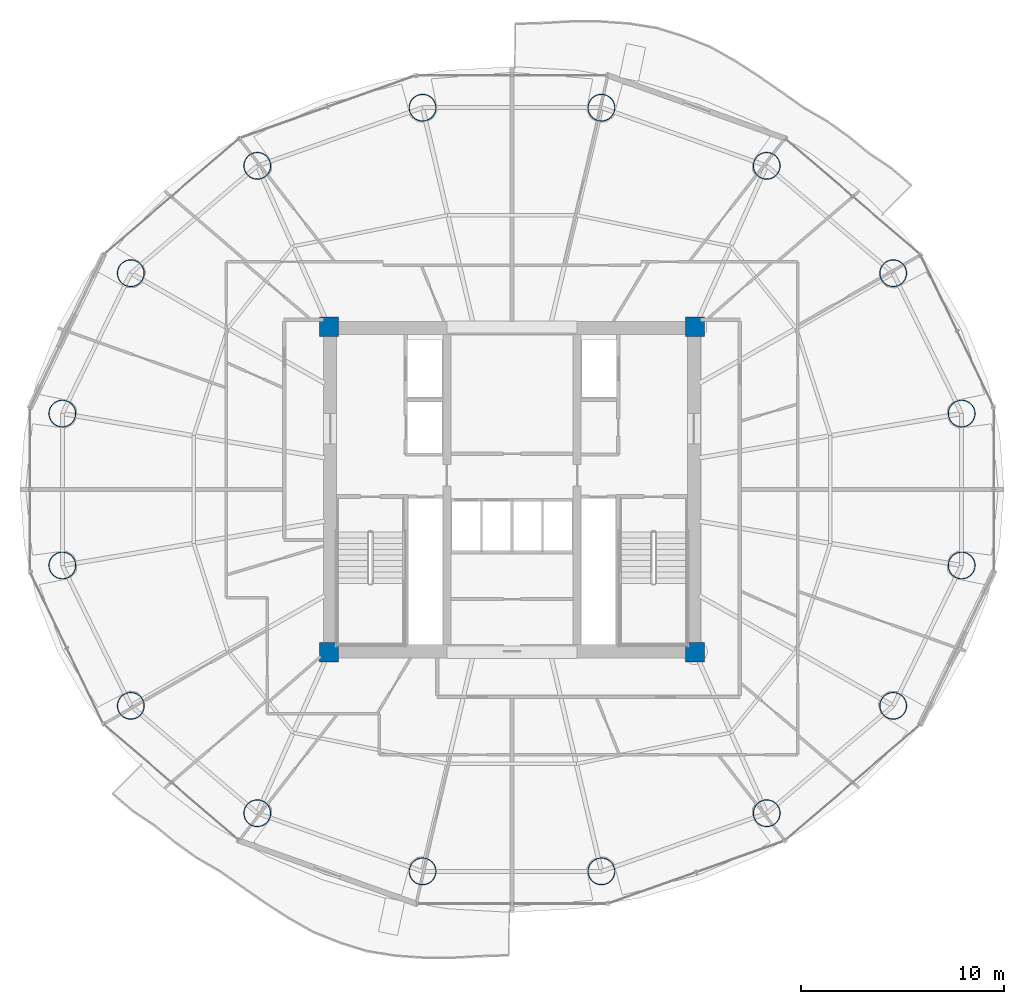
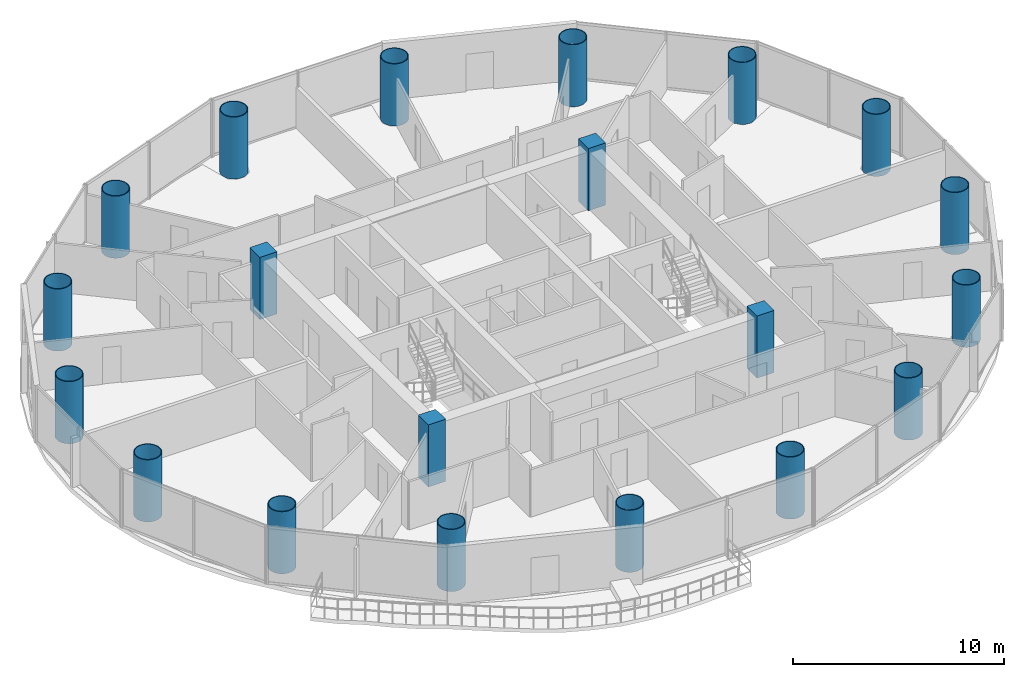
# One storey, part 1 of 27: 20 columns.
"""IFC4 building model written with IfcOpenShell, lengths in metres."""

import ifcopenshell
import ifcopenshell.guid

model = None  # the IFC model being written
_history = None  # IfcOwnerHistory: only IFC2X3 demands one
_inside = {}  # id of a spatial element -> (the spatial element, [elements in it])
_under = {}  # id of a project, library or spatial element -> (it, [spatial elements below it])
_declared = {}  # id of a project -> (the project, [libraries it declares])
_typed = {}  # id of a type object -> (the type object, [elements of that type])
_made_of = {}  # id of a material, layer set ... -> (it, [elements and type objects made of it])


def new_model(schema):
    """Start an empty IFC model of exactly this schema.

    Asked for "IFC4X3", IfcOpenShell would pick the latest addendum, in which some entities
    have other attributes; the version numbers below select the first issue.
    IFC2X3 requires an IfcOwnerHistory on every rooted entity: one is made here for all.
    """
    global model, _history
    if schema == "IFC4X3":
        model = ifcopenshell.file(schema_version=(4, 3, 0, 0))
    else:
        model = ifcopenshell.file(schema=schema)
    _inside.clear()
    _under.clear()
    _declared.clear()
    _typed.clear()
    _made_of.clear()
    _history = None
    if model.schema == "IFC2X3":
        org = make("IfcOrganization", Name="unknown")
        user = make(
            "IfcPersonAndOrganization",
            ThePerson=make("IfcPerson", FamilyName="unknown"),
            TheOrganization=org,
        )
        app = make(
            "IfcApplication",
            ApplicationDeveloper=org,
            Version="unknown",
            ApplicationFullName="unknown",
            ApplicationIdentifier="unknown",
        )
        _history = make(
            "IfcOwnerHistory",
            OwningUser=user,
            OwningApplication=app,
            ChangeAction="ADDED",
            CreationDate=0,
        )
    return model


def make(cls, **values):
    """One entity of the class cls with the attributes given. An attribute that is None is left unset."""
    return model.create_entity(
        cls, **{name: value for name, value in values.items() if value is not None}
    )


def rooted(cls, **values):
    """An entity with a GlobalId (a new one), such as an element, a storey or a relation."""
    return make(cls, GlobalId=ifcopenshell.guid.new(), OwnerHistory=_history, **values)


def si_unit(unit_type, name, prefix=None):
    """IfcSIUnit, for example si_unit("LENGTHUNIT", "METRE", prefix="MILLI")."""
    return make("IfcSIUnit", UnitType=unit_type, Prefix=prefix, Name=name)


def assignment(units):
    """IfcUnitAssignment: the units of a project."""
    return None if units is None else make("IfcUnitAssignment", Units=units)


def point(xyz):
    """IfcCartesianPoint."""
    return None if xyz is None else make("IfcCartesianPoint", Coordinates=xyz)


def direction(xyz):
    """IfcDirection."""
    return None if xyz is None else make("IfcDirection", DirectionRatios=xyz)


def frame(location, z_axis=None, x_axis=None):
    """IfcAxis2Placement3D, a coordinate frame: its origin and axes. An axis left out is left unset."""
    return make(
        "IfcAxis2Placement3D",
        Location=point(location),
        Axis=direction(z_axis),
        RefDirection=direction(x_axis),
    )


def frame_2d(location, x_axis=None):
    """IfcAxis2Placement2D, a coordinate frame in the plane: its origin and x axis."""
    return make(
        "IfcAxis2Placement2D", Location=point(location), RefDirection=direction(x_axis)
    )


def origin():
    """The frame at (0, 0, 0) with its axes left unset."""
    return frame((0.0, 0.0, 0.0))


def origin_2d():
    """The frame at (0, 0) in the plane with its x axis left unset."""
    return frame_2d((0.0, 0.0))


def place(relative_to, where):
    """IfcLocalPlacement: puts the frame where relative to a parent placement (None: the world)."""
    return make(
        "IfcLocalPlacement", PlacementRelTo=relative_to, RelativePlacement=where
    )


def context(
    kind, dimensions, precision=None, world=None, true_north=None, identifier=None
):
    """IfcGeometricRepresentationContext, for example the 3D "Model" context."""
    return make(
        "IfcGeometricRepresentationContext",
        ContextIdentifier=identifier,
        ContextType=kind,
        CoordinateSpaceDimension=dimensions,
        Precision=precision,
        WorldCoordinateSystem=world,
        TrueNorth=true_north,
    )


def subcontext(parent, identifier, kind, view, scale=None):
    """IfcGeometricRepresentationSubContext, for example "Body" below "Model"."""
    return make(
        "IfcGeometricRepresentationSubContext",
        ContextIdentifier=identifier,
        ContextType=kind,
        ParentContext=parent,
        TargetScale=scale,
        TargetView=view,
    )


def project(units=None, contexts=None):
    """IfcProject with its units and contexts."""
    return rooted(
        "IfcProject",
        Name="project",
        RepresentationContexts=contexts,
        UnitsInContext=assignment(units),
    )


def spatial(cls, under=None, at=None, **own):
    """A site, building, storey or space (cls), placed at a placement, below another one or the project."""
    s = rooted(cls, ObjectPlacement=at, **own)
    if under is not None:
        _under.setdefault(under.id(), (under, []))[1].append(s)
    return s


def profile(cls, at=None, kind="AREA", **sizes):
    """A parametric profile (cls). Its sizes go by their IFC names, for example OverallWidth=200.0."""
    return make(cls, ProfileType=kind, Position=at, **sizes)


def rectangle(**sizes):
    """IfcRectangleProfileDef."""
    return profile("IfcRectangleProfileDef", **sizes)


def hollow_circle(**sizes):
    """IfcCircleHollowProfileDef."""
    return profile("IfcCircleHollowProfileDef", **sizes)


def extrude(swept, where, along, depth):
    """IfcExtrudedAreaSolid: the profile swept, set in the frame where, extruded along a direction by depth."""
    return make(
        "IfcExtrudedAreaSolid",
        SweptArea=swept,
        Position=where,
        ExtrudedDirection=direction(along),
        Depth=depth,
    )


def shape(context_of_items, identifier, shape_type, items):
    """IfcShapeRepresentation: the items that make up one representation, for example the "Body"."""
    return make(
        "IfcShapeRepresentation",
        ContextOfItems=context_of_items,
        RepresentationIdentifier=identifier,
        RepresentationType=shape_type,
        Items=items,
    )


def material(Name=None, Category=None):
    """IfcMaterial."""
    return make("IfcMaterial", Name=Name, Category=Category)


def material_profile(
    of_material, cross_section, Name=None, Category=None, Priority=None
):
    """IfcMaterialProfile: a cross section and its material."""
    return make(
        "IfcMaterialProfile",
        Name=Name,
        Material=of_material,
        Profile=cross_section,
        Priority=Priority,
        Category=Category,
    )


def profile_set(profiles, Name=None, composite=None):
    """IfcMaterialProfileSet."""
    return make(
        "IfcMaterialProfileSet",
        Name=Name,
        MaterialProfiles=profiles,
        CompositeProfile=composite,
    )


def made_of(thing, what):
    """Note that an element or type object is made of a material, layer set ...; save() writes the relation."""
    if what is not None:
        _made_of.setdefault(what.id(), (what, []))[1].append(thing)
    return thing


def type_object(cls, material=None, **own):
    """A type object (cls), such as IfcWallType, which elements share."""
    return made_of(rooted(cls, **own), material)


def element(
    cls,
    number,
    at=None,
    inside=None,
    cuts=None,
    type_object=None,
    material=None,
    context=None,
    identifier="Body",
    shape_type=None,
    held_by="IfcProductDefinitionShape",
    body=None,
    shapes=None,
    **own,
):
    """One element of the class cls, such as IfcWall. Its Tag is "e" and its number.

    at: its placement. inside: the storey or other place that contains it. cuts: it is an
    opening in that element (IfcRelVoidsElement). A single representation is given by context,
    identifier, shape_type and body (its items); several are given by shapes. held_by: the class
    of the entity that holds the representations. save() writes the other relations.
    """
    e = rooted(cls, Tag="e%d" % number, ObjectPlacement=at, **own)
    if body is not None:
        shapes = [shape(context, identifier, shape_type, body)]
    if shapes is not None:
        e.Representation = make(held_by, Representations=shapes)
    if inside is not None:
        _inside.setdefault(inside.id(), (inside, []))[1].append(e)
    if cuts is not None:
        rooted(
            "IfcRelVoidsElement", RelatingBuildingElement=cuts, RelatedOpeningElement=e
        )
    if type_object is not None:
        _typed.setdefault(type_object.id(), (type_object, []))[1].append(e)
    return made_of(e, material)


def aggregate(whole, parts):
    """IfcRelAggregates: a whole, such as a stair, and the parts it consists of."""
    return rooted("IfcRelAggregates", RelatingObject=whole, RelatedObjects=parts)


def save(model, path):
    """Write the relations noted so far, then the file.

    IfcRelAggregates (storeys below a building ...), IfcRelContainedInSpatialStructure (elements
    in a storey), IfcRelDefinesByType, IfcRelAssociatesMaterial and IfcRelDeclares: one each for
    every whole, place, type object, material and project.
    """
    for whole, parts in _under.values():
        aggregate(whole, parts)
    for where, things in _inside.values():
        rooted(
            "IfcRelContainedInSpatialStructure",
            RelatedElements=things,
            RelatingStructure=where,
        )
    for kind, things in _typed.values():
        rooted("IfcRelDefinesByType", RelatedObjects=things, RelatingType=kind)
    for what, things in _made_of.values():
        rooted("IfcRelAssociatesMaterial", RelatedObjects=things, RelatingMaterial=what)
    for by, libraries in _declared.values():
        rooted("IfcRelDeclares", RelatingContext=by, RelatedDefinitions=libraries)
    model.write(path)


model = new_model("IFC4")

# Units and contexts
model_context = context("Model", 3, precision=1e-05, world=origin(), true_north=direction((-0.2419218956, 0.970295726276)))
body_context = subcontext(model_context, "Body", "Model", "MODEL_VIEW")
ifc_project = project(units=[si_unit("LENGTHUNIT", "METRE"), si_unit("AREAUNIT", "SQUARE_METRE"), si_unit("VOLUMEUNIT", "CUBIC_METRE"), si_unit("PLANEANGLEUNIT", "RADIAN"), si_unit("MASSUNIT", "GRAM", prefix="KILO")], contexts=[model_context])

# Site, building, storey
site_placement = place(None, origin())
site = spatial("IfcSite", under=ifc_project, at=site_placement, CompositionType="ELEMENT")
building_placement = place(site_placement, origin())
building = spatial("IfcBuilding", under=site, at=building_placement, Name="Cobrevalo Terracotta Tower", CompositionType="ELEMENT")
storey_placement = place(building_placement, frame((0.0, 0.0, 164.199951171875)))
storey = spatial("IfcBuildingStorey", under=building, at=storey_placement, Name="L43", CompositionType="ELEMENT", Elevation=164.199951171875)

# Columns
ifc_material_1 = material(Name="Steel S355", Category="steel")
ifc_material_profile_1 = material_profile(ifc_material_1, hollow_circle(Radius=0.675048828125, WallThickness=0.0419921875, at=origin_2d()), Name="CHS 1350x42")
ifc_profile_set_1 = profile_set([ifc_material_profile_1], Name="Steel S355")
column_type_1 = type_object("IfcColumnType", Name="Structural Column CHS 1350x42 (Steel S355)", PredefinedType="COLUMN", material=ifc_profile_set_1)
for number, where, z_axis, x_axis, name in (
    (1, (60.11669921875, 30.535888671875, 0.0), (0.0, 0.0, 1.0), (1.0, 0.0, 0.0), "L43 composite megacolumn MC01"),
    (2, (56.749755859375, 37.439208984375, 0.0), (0.0, 0.0, 1.0), (1.0, 0.0, 0.0), "L43 composite megacolumn MC02"),
    (3, (50.528076171875, 42.72265625, 0.0), (0.0, 0.0, 1.0), (1.0, 0.0, 0.0), "L43 composite megacolumn MC03"),
    (4, (42.399169921875, 45.58203125, 0.0), (0.0, 0.0, 1.0), (1.0, 0.0, 0.0), "L43 composite megacolumn MC04"),
    (5, (33.600830078125, 45.58203125, 0.0), (0.0, 0.0, 1.0), (1.0, 0.0, 0.0), "L43 composite megacolumn MC05"),
    (6, (25.471923828125, 42.72265625, 0.0), (0.0, 0.0, 1.0), (1.0, 0.0, 0.0), "L43 composite megacolumn MC06"),
    (7, (19.250244140625, 37.439208984375, 0.0), (0.0, 0.0, 1.0), (1.0, 0.0, 0.0), "L43 composite megacolumn MC07"),
    (8, (15.88330078125, 30.535888671875, 0.0), (0.0, 0.0, 1.0), (1.0, 0.0, 0.0), "L43 composite megacolumn MC08"),
    (9, (15.88330078125, 23.06396484375, 0.0), (0.0, 0.0, 1.0), (1.0, 0.0, 0.0), "L43 composite megacolumn MC09"),
    (10, (19.250244140625, 16.160888671875, 0.0), (0.0, 0.0, 1.0), (1.0, 0.0, 0.0), "L43 composite megacolumn MC10"),
    (11, (25.471923828125, 10.87744140625, 0.0), (0.0, 0.0, 1.0), (1.0, 0.0, 0.0), "L43 composite megacolumn MC11"),
    (12, (33.600830078125, 8.01806640625, 0.0), (0.0, 0.0, 1.0), (1.0, 0.0, 0.0), "L43 composite megacolumn MC12"),
    (13, (42.399169921875, 8.01806640625, 0.0), (0.0, 0.0, 1.0), (1.0, 0.0, 0.0), "L43 composite megacolumn MC13"),
    (14, (50.528076171875, 10.87744140625, 0.0), (0.0, 0.0, 1.0), (1.0, 0.0, 0.0), "L43 composite megacolumn MC14"),
    (15, (56.749755859375, 16.160888671875, 0.0), (0.0, 0.0, 1.0), (1.0, 0.0, 0.0), "L43 composite megacolumn MC15"),
    (16, (60.11669921875, 23.06396484375, 0.0), (0.0, 0.0, 1.0), (1.0, 0.0, 0.0), "L43 composite megacolumn MC16"),
):
    element("IfcColumn", number, at=place(storey_placement, frame(where, z_axis=z_axis, x_axis=x_axis)), inside=storey, type_object=column_type_1, Name=name, PredefinedType="COLUMN", context=body_context, shape_type="SweptSolid", body=[
        extrude(hollow_circle(Radius=0.675048828125, WallThickness=0.0419921875, at=origin_2d()), origin(), (0.0, 0.0, 1.0), 3.60009765625),
    ])
ifc_material_2 = material(Name="Concrete C55", Category="concrete")
ifc_material_profile_2 = material_profile(ifc_material_2, rectangle(XDim=0.949951171875, YDim=0.949951171875, at=origin_2d()), Name="RC COL 950x950")
ifc_profile_set_2 = profile_set([ifc_material_profile_2], Name="Concrete C55")
column_type_2 = type_object("IfcColumnType", Name="Structural Column RC COL 950x950 (Concrete C55)", PredefinedType="COLUMN", material=ifc_profile_set_2)
for number, where, z_axis, x_axis, name in (
    (17, (29.0, 18.800048828125, 0.0), (0.0, 0.0, 1.0), (1.0, 0.0, 0.0), "L43 core corner column CC1"),
    (18, (47.0, 18.800048828125, 0.0), (0.0, 0.0, 1.0), (1.0, 0.0, 0.0), "L43 core corner column CC2"),
    (19, (47.0, 34.800048828125, 0.0), (0.0, 0.0, 1.0), (1.0, 0.0, 0.0), "L43 core corner column CC3"),
    (20, (29.0, 34.800048828125, 0.0), (0.0, 0.0, 1.0), (1.0, 0.0, 0.0), "L43 core corner column CC4"),
):
    element("IfcColumn", number, at=place(storey_placement, frame(where, z_axis=z_axis, x_axis=x_axis)), inside=storey, type_object=column_type_2, Name=name, PredefinedType="COLUMN", context=body_context, shape_type="SweptSolid", body=[
        extrude(rectangle(XDim=0.949951171875, YDim=0.949951171875, at=origin_2d()), origin(), (0.0, 0.0, 1.0), 3.60009765625),
    ])

save(model, "model.ifc")
